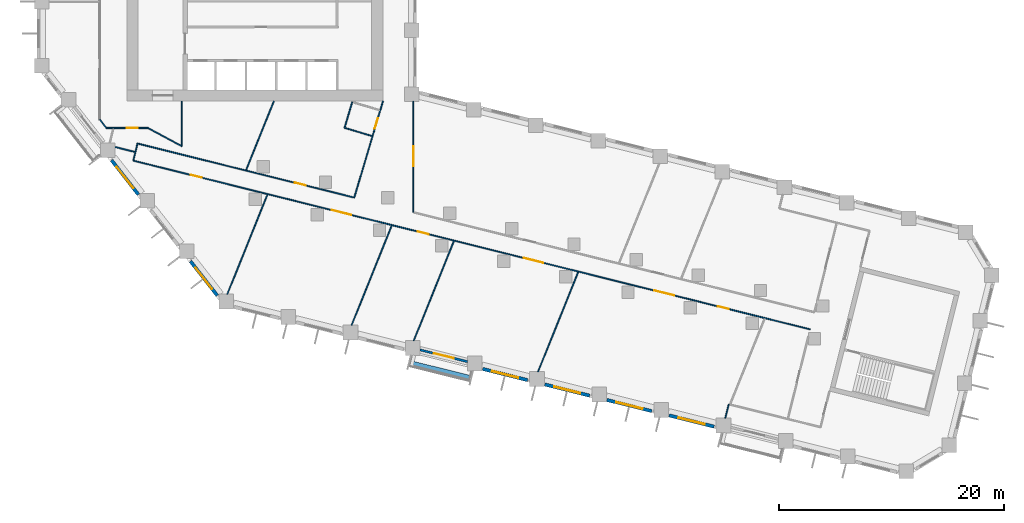
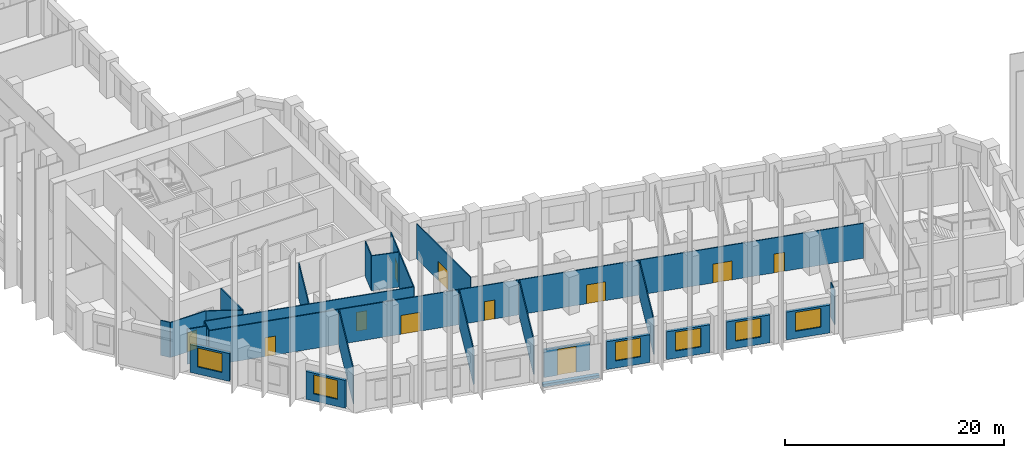
# One storey, part 3 of 10: 26 walls, 11 doors, 6 windows, 17 openings.
"""IFC4 building model written with IfcOpenShell, lengths in metres."""

from ifc_helpers import new_model, si_unit, direction, frame, frame_2d, origin, place, context, subcontext, project, spatial, rectangle, extrude, material, layer, layer_set, type_object, element, fill, save


model = new_model("IFC4")

# Units and contexts
model_context = context("Model", 3, precision=1e-05, world=origin(), true_north=direction((0.0, 1.0)))
body_context = subcontext(model_context, "Body", "Model", "MODEL_VIEW")
ifc_project = project(units=[si_unit("LENGTHUNIT", "METRE"), si_unit("AREAUNIT", "SQUARE_METRE"), si_unit("VOLUMEUNIT", "CUBIC_METRE"), si_unit("PLANEANGLEUNIT", "RADIAN"), si_unit("MASSUNIT", "GRAM", prefix="KILO")], contexts=[model_context])

# Site, building, storey
site_placement = place(None, origin())
site = spatial("IfcSite", under=ifc_project, at=site_placement, CompositionType="ELEMENT")
building_placement = place(site_placement, origin())
building = spatial("IfcBuilding", under=site, at=building_placement, Name="Meshkara Civic Tower", CompositionType="ELEMENT")
storey_placement = place(building_placement, frame((0.0, 0.0, 130.800048828125)))
storey = spatial("IfcBuildingStorey", under=building, at=storey_placement, Name="L29", CompositionType="ELEMENT", Elevation=130.800048828125)

# Wall
ifc_material_1 = material(Name="Corridor wall 100")
ifc_layer_1 = layer(ifc_material_1, 0.10009765625)
ifc_layer_set_1 = layer_set([ifc_layer_1], Name="Corridor wall 100")
wall_type_1 = type_object("IfcWallType", Name="Corridor wall 100", PredefinedType="PARTITIONING", material=ifc_layer_set_1)
wall_1_placement = place(storey_placement, frame((5.60009765625, 12.449951171875, 0.0), z_axis=(0.0, 0.0, 1.0), x_axis=(0.615644041972, -0.788024373725, 0.0)))
element("IfcWall", 1, at=wall_1_placement, inside=storey, type_object=wall_type_1, Name="L29-W004", PredefinedType="PARTITIONING", context=body_context, shape_type="SweptSolid", body=[
    extrude(rectangle(XDim=0.95166015625, YDim=0.10009765625, at=frame_2d((0.475830078125, 0.0))), origin(), (0.0, 0.0, 1.0), 3.89990234375),
])

# Wall, opening, door
wall_2_placement = place(storey_placement, frame((6.18603515625, 11.699951171875, 0.0), z_axis=(0.0, 0.0, 1.0), x_axis=(1.0, 0.0, 0.0)))
wall_2 = element("IfcWall", 2, at=wall_2_placement, inside=storey, type_object=wall_type_1, Name="L29-W006", PredefinedType="PARTITIONING", context=body_context, shape_type="SweptSolid", body=[
    extrude(rectangle(XDim=3.7138671875, YDim=0.10009765625, at=frame_2d((1.85693359375, 0.0))), origin(), (0.0, 0.0, 1.0), 3.89990234375),
])
opening_1_placement = place(wall_2_placement, frame((1.791015625, 0.0, 0.0)))
opening_1 = element("IfcOpeningElement", 3, at=opening_1_placement, cuts=wall_2, Name="Opening L29-D012", PredefinedType="OPENING", context=body_context, shape_type="SweptSolid", body=[
    extrude(rectangle(XDim=1.0, YDim=2.10009765625, at=frame_2d((0.5, 1.050048828125))), frame((0.0, 0.06005859375, 0.0), z_axis=(0.0, -1.0, 0.0), x_axis=(1.0, 0.0, 0.0)), (0.0, 0.0, 1.0), 0.1201171875),
])
ifc_material_2 = material(Name="Door 1000 x 2100")
door_type_1 = type_object("IfcDoorType", Name="Door 1000 x 2100", OperationType="SINGLE_SWING_LEFT", PredefinedType="DOOR", material=ifc_material_2)
door_1_placement = place(opening_1_placement, origin())
door_1 = element("IfcDoor", 4, at=door_1_placement, inside=storey, type_object=door_type_1, Name="L29-D012", OperationType="SINGLE_SWING_LEFT", OverallHeight=2.10009765625, OverallWidth=1.0, PredefinedType="DOOR", context=body_context, shape_type="SweptSolid", body=[
    extrude(rectangle(XDim=1.0, YDim=2.10009765625, at=frame_2d((0.5, 1.050048828125))), frame((0.0, 0.02490234375, 0.0), z_axis=(0.0, -1.0, 0.0), x_axis=(1.0, 0.0, 0.0)), (0.0, 0.0, 1.0), 0.050048828125),
])
fill(opening_1, door_1)

# Wall, openings, doors
wall_3_placement = place(storey_placement, frame((8.5791015625, 8.802978515625, 0.0), z_axis=(0.0, 0.0, 1.0), x_axis=(0.970297306393, -0.241915558008, 0.0)))
wall_3 = element("IfcWall", 5, at=wall_3_placement, inside=storey, type_object=wall_type_1, Name="L29-W008", PredefinedType="PARTITIONING", context=body_context, shape_type="SweptSolid", body=[
    extrude(rectangle(XDim=62.07568359375, YDim=0.10009765625, at=frame_2d((31.037841796875, 0.0))), origin(), (0.0, 0.0, 1.0), 3.89990234375),
])
opening_2_placement = place(wall_3_placement, frame((35.799072265625, 0.0, 0.0)))
opening_2 = element("IfcOpeningElement", 6, at=opening_2_placement, cuts=wall_3, Name="Opening L29-D003", PredefinedType="OPENING", context=body_context, shape_type="SweptSolid", body=[
    extrude(rectangle(XDim=1.800048828125, YDim=2.10009765625, at=frame_2d((0.89990234375, 1.050048828125))), frame((0.0, 0.06005859375, 0.0), z_axis=(0.0, -1.0, 0.0), x_axis=(1.0, 0.0, 0.0)), (0.0, 0.0, 1.0), 0.1201171875),
])
opening_3_placement = place(wall_3_placement, frame((47.799072265625, 0.0, 0.0)))
opening_3 = element("IfcOpeningElement", 7, at=opening_3_placement, cuts=wall_3, Name="Opening L29-D005", PredefinedType="OPENING", context=body_context, shape_type="SweptSolid", body=[
    extrude(rectangle(XDim=1.800048828125, YDim=2.10009765625, at=frame_2d((0.89990234375, 1.050048828125))), frame((0.0, 0.06005859375, 0.0), z_axis=(0.0, -1.0, 0.0), x_axis=(1.0, 0.0, 0.0)), (0.0, 0.0, 1.0), 0.1201171875),
])
opening_4_placement = place(wall_3_placement, frame((53.59912109375, 0.0, 0.0)))
opening_4 = element("IfcOpeningElement", 8, at=opening_4_placement, cuts=wall_3, Name="Opening L29-D006", PredefinedType="OPENING", context=body_context, shape_type="SweptSolid", body=[
    extrude(rectangle(XDim=1.0, YDim=2.10009765625, at=frame_2d((0.5, 1.050048828125))), frame((0.0, 0.06005859375, 0.0), z_axis=(0.0, -1.0, 0.0), x_axis=(1.0, 0.0, 0.0)), (0.0, 0.0, 1.0), 0.1201171875),
])
opening_5_placement = place(wall_3_placement, frame((18.199951171875, 0.0, 0.0)))
opening_5 = element("IfcOpeningElement", 9, at=opening_5_placement, cuts=wall_3, Name="Opening L29-D007", PredefinedType="OPENING", context=body_context, shape_type="SweptSolid", body=[
    extrude(rectangle(XDim=1.800048828125, YDim=2.10009765625, at=frame_2d((0.89990234375, 1.050048828125))), frame((0.0, 0.06005859375, 0.0), z_axis=(0.0, -1.0, 0.0), x_axis=(1.0, 0.0, 0.0)), (0.0, 0.0, 1.0), 0.1201171875),
])
opening_6_placement = place(wall_3_placement, frame((26.09912109375, 0.0, 0.0)))
opening_6 = element("IfcOpeningElement", 10, at=opening_6_placement, cuts=wall_3, Name="Opening L29-D008", PredefinedType="OPENING", context=body_context, shape_type="SweptSolid", body=[
    extrude(rectangle(XDim=1.0, YDim=2.10009765625, at=frame_2d((0.5, 1.050048828125))), frame((0.0, 0.06005859375, 0.0), z_axis=(0.0, -1.0, 0.0), x_axis=(1.0, 0.0, 0.0)), (0.0, 0.0, 1.0), 0.1201171875),
])
opening_7_placement = place(wall_3_placement, frame((5.280029296875, 0.0, 0.0)))
opening_7 = element("IfcOpeningElement", 11, at=opening_7_placement, cuts=wall_3, Name="Opening L29-D013", PredefinedType="OPENING", context=body_context, shape_type="SweptSolid", body=[
    extrude(rectangle(XDim=1.0, YDim=2.10009765625, at=frame_2d((0.5, 1.050048828125))), frame((0.0, 0.06005859375, 0.0), z_axis=(0.0, -1.0, 0.0), x_axis=(1.0, 0.0, 0.0)), (0.0, 0.0, 1.0), 0.1201171875),
])
door_2_placement = place(opening_4_placement, origin())
door_2 = element("IfcDoor", 12, at=door_2_placement, inside=storey, type_object=door_type_1, Name="L29-D006", OperationType="SINGLE_SWING_LEFT", OverallHeight=2.10009765625, OverallWidth=1.0, PredefinedType="DOOR", context=body_context, shape_type="SweptSolid", body=[
    extrude(rectangle(XDim=1.0, YDim=2.10009765625, at=frame_2d((0.5, 1.050048828125))), frame((0.0, 0.02490234375, 0.0), z_axis=(0.0, -1.0, 0.0), x_axis=(1.0, 0.0, 0.0)), (0.0, 0.0, 1.0), 0.050048828125),
])
fill(opening_4, door_2)
door_3_placement = place(opening_6_placement, origin())
door_3 = element("IfcDoor", 13, at=door_3_placement, inside=storey, type_object=door_type_1, Name="L29-D008", OperationType="SINGLE_SWING_LEFT", OverallHeight=2.10009765625, OverallWidth=1.0, PredefinedType="DOOR", context=body_context, shape_type="SweptSolid", body=[
    extrude(rectangle(XDim=1.0, YDim=2.10009765625, at=frame_2d((0.5, 1.050048828125))), frame((0.0, 0.02490234375, 0.0), z_axis=(0.0, -1.0, 0.0), x_axis=(1.0, 0.0, 0.0)), (0.0, 0.0, 1.0), 0.050048828125),
])
fill(opening_6, door_3)
door_4_placement = place(opening_7_placement, origin())
door_4 = element("IfcDoor", 14, at=door_4_placement, inside=storey, type_object=door_type_1, Name="L29-D013", OperationType="SINGLE_SWING_RIGHT", OverallHeight=2.10009765625, OverallWidth=1.0, PredefinedType="DOOR", context=body_context, shape_type="SweptSolid", body=[
    extrude(rectangle(XDim=1.0, YDim=2.10009765625, at=frame_2d((0.5, 1.050048828125))), frame((0.0, 0.02490234375, 0.0), z_axis=(0.0, -1.0, 0.0), x_axis=(1.0, 0.0, 0.0)), (0.0, 0.0, 1.0), 0.050048828125),
])
fill(opening_7, door_4)
ifc_material_3 = material(Name="Door pair 1800 x 2100")
door_type_2 = type_object("IfcDoorType", Name="Door pair 1800 x 2100", OperationType="SINGLE_SWING_LEFT", PredefinedType="DOOR", material=ifc_material_3)
door_5_placement = place(opening_2_placement, origin())
door_5 = element("IfcDoor", 15, at=door_5_placement, inside=storey, type_object=door_type_2, Name="L29-D003", OperationType="DOUBLE_DOOR_SINGLE_SWING", OverallHeight=2.10009765625, OverallWidth=1.800048828125, PredefinedType="DOOR", context=body_context, shape_type="SweptSolid", body=[
    extrude(rectangle(XDim=1.800048828125, YDim=2.10009765625, at=frame_2d((0.89990234375, 1.050048828125))), frame((0.0, 0.02490234375, 0.0), z_axis=(0.0, -1.0, 0.0), x_axis=(1.0, 0.0, 0.0)), (0.0, 0.0, 1.0), 0.050048828125),
])
fill(opening_2, door_5)
door_6_placement = place(opening_3_placement, origin())
door_6 = element("IfcDoor", 16, at=door_6_placement, inside=storey, type_object=door_type_2, Name="L29-D005", OperationType="DOUBLE_DOOR_SINGLE_SWING", OverallHeight=2.10009765625, OverallWidth=1.800048828125, PredefinedType="DOOR", context=body_context, shape_type="SweptSolid", body=[
    extrude(rectangle(XDim=1.800048828125, YDim=2.10009765625, at=frame_2d((0.89990234375, 1.050048828125))), frame((0.0, 0.02490234375, 0.0), z_axis=(0.0, -1.0, 0.0), x_axis=(1.0, 0.0, 0.0)), (0.0, 0.0, 1.0), 0.050048828125),
])
fill(opening_3, door_6)
door_7_placement = place(opening_5_placement, origin())
door_7 = element("IfcDoor", 17, at=door_7_placement, inside=storey, type_object=door_type_2, Name="L29-D007", OperationType="DOUBLE_DOOR_SINGLE_SWING", OverallHeight=2.10009765625, OverallWidth=1.800048828125, PredefinedType="DOOR", context=body_context, shape_type="SweptSolid", body=[
    extrude(rectangle(XDim=1.800048828125, YDim=2.10009765625, at=frame_2d((0.89990234375, 1.050048828125))), frame((0.0, 0.02490234375, 0.0), z_axis=(0.0, -1.0, 0.0), x_axis=(1.0, 0.0, 0.0)), (0.0, 0.0, 1.0), 0.050048828125),
])
fill(opening_5, door_7)

# Wall, opening, door
wall_4_placement = place(storey_placement, frame((8.9580078125, 10.322998046875, 0.0), z_axis=(0.0, 0.0, 1.0), x_axis=(0.970298340477, -0.241911410372, 0.0)))
wall_4 = element("IfcWall", 18, at=wall_4_placement, inside=storey, type_object=wall_type_1, Name="L29-W009", PredefinedType="PARTITIONING", context=body_context, shape_type="SweptSolid", body=[
    extrude(rectangle(XDim=19.879638671875, YDim=0.10009765625, at=frame_2d((9.93994140625, 0.0))), origin(), (0.0, 0.0, 1.0), 3.89990234375),
])
opening_8_placement = place(wall_4_placement, frame((14.4169921875, 0.0, 0.0)))
opening_8 = element("IfcOpeningElement", 19, at=opening_8_placement, cuts=wall_4, Name="Opening L29-D014", PredefinedType="OPENING", context=body_context, shape_type="SweptSolid", body=[
    extrude(rectangle(XDim=1.0, YDim=2.10009765625, at=frame_2d((0.5, 1.050048828125))), frame((0.0, 0.06005859375, 0.0), z_axis=(0.0, -1.0, 0.0), x_axis=(1.0, 0.0, 0.0)), (0.0, 0.0, 1.0), 0.1201171875),
])
door_8_placement = place(opening_8_placement, origin())
door_8 = element("IfcDoor", 20, at=door_8_placement, inside=storey, type_object=door_type_1, Name="L29-D014", OperationType="SINGLE_SWING_RIGHT", OverallHeight=2.10009765625, OverallWidth=1.0, PredefinedType="DOOR", context=body_context, shape_type="SweptSolid", body=[
    extrude(rectangle(XDim=1.0, YDim=2.10009765625, at=frame_2d((0.5, 1.050048828125))), frame((0.0, 0.02490234375, 0.0), z_axis=(0.0, -1.0, 0.0), x_axis=(1.0, 0.0, 0.0)), (0.0, 0.0, 1.0), 0.050048828125),
])
fill(opening_8, door_8)

# Walls
wall_5_placement = place(storey_placement, frame((8.9580078125, 10.322998046875, 0.0), z_axis=(0.0, 0.0, 1.0), x_axis=(-0.241875508386, -0.97030729073, 0.0)))
element("IfcWall", 21, at=wall_5_placement, inside=storey, type_object=wall_type_1, Name="L29-W010", PredefinedType="PARTITIONING", context=body_context, shape_type="SweptSolid", body=[
    extrude(rectangle(XDim=1.566650390625, YDim=0.10009765625, at=frame_2d((0.783203125, 0.0))), origin(), (0.0, 0.0, 1.0), 3.89990234375),
])
wall_6_placement = place(storey_placement, frame((9.89990234375, 11.699951171875, 0.0), z_axis=(0.0, 0.0, 1.0), x_axis=(0.87965147249, -0.475618846291, 0.0)))
element("IfcWall", 22, at=wall_6_placement, inside=storey, type_object=wall_type_1, Name="L29-W011", PredefinedType="PARTITIONING", context=body_context, shape_type="SweptSolid", body=[
    extrude(rectangle(XDim=3.410400390625, YDim=0.10009765625, at=frame_2d((1.705078125, 0.0))), origin(), (0.0, 0.0, 1.0), 3.89990234375),
])
wall_7_placement = place(storey_placement, frame((12.89990234375, 10.077880859375, 0.0), z_axis=(0.0, 0.0, 1.0), x_axis=(0.0, 1.0, 0.0)))
element("IfcWall", 23, at=wall_7_placement, inside=storey, type_object=wall_type_1, Name="L29-W016", PredefinedType="PARTITIONING", context=body_context, shape_type="SweptSolid", body=[
    extrude(rectangle(XDim=4.022216796875, YDim=0.10009765625, at=frame_2d((2.01123046875, 0.0))), origin(), (0.0, 0.0, 1.0), 3.89990234375),
])

# Wall, opening, door
wall_8_placement = place(storey_placement, frame((28.2470703125, 5.513916015625, 0.0), z_axis=(0.0, 0.0, 1.0), x_axis=(0.285004107837, 0.958526295162, 0.0)))
wall_8 = element("IfcWall", 24, at=wall_8_placement, inside=storey, type_object=wall_type_1, Name="L29-W020", PredefinedType="PARTITIONING", context=body_context, shape_type="SweptSolid", body=[
    extrude(rectangle(XDim=8.957763671875, YDim=0.10009765625, at=frame_2d((4.47900390625, 0.0))), origin(), (0.0, 0.0, 1.0), 3.89990234375),
])
opening_9_placement = place(wall_8_placement, frame((6.3798828125, 0.0, 0.0)))
opening_9 = element("IfcOpeningElement", 25, at=opening_9_placement, cuts=wall_8, Name="Opening L29-D017", PredefinedType="OPENING", context=body_context, shape_type="SweptSolid", body=[
    extrude(rectangle(XDim=1.0, YDim=2.10009765625, at=frame_2d((0.5, 1.050048828125))), frame((0.0, 0.06005859375, 0.0), z_axis=(0.0, -1.0, 0.0), x_axis=(1.0, 0.0, 0.0)), (0.0, 0.0, 1.0), 0.1201171875),
])
door_9_placement = place(opening_9_placement, origin())
door_9 = element("IfcDoor", 26, at=door_9_placement, inside=storey, type_object=door_type_1, Name="L29-D017", OperationType="SINGLE_SWING_LEFT", OverallHeight=2.10009765625, OverallWidth=1.0, PredefinedType="DOOR", context=body_context, shape_type="SweptSolid", body=[
    extrude(rectangle(XDim=1.0, YDim=2.10009765625, at=frame_2d((0.5, 1.050048828125))), frame((0.0, 0.02490234375, 0.0), z_axis=(0.0, -1.0, 0.0), x_axis=(1.0, 0.0, 0.0)), (0.0, 0.0, 1.0), 0.050048828125),
])
fill(opening_9, door_9)

wall_9_placement = place(storey_placement, frame((33.5, 4.2041015625, 0.0), z_axis=(0.0, 0.0, 1.0), x_axis=(0.0, 1.0, 0.0)))
wall_9 = element("IfcWall", 27, at=wall_9_placement, inside=storey, type_object=wall_type_1, Name="L29-W023", PredefinedType="PARTITIONING", context=body_context, shape_type="SweptSolid", body=[
    extrude(rectangle(XDim=9.864990234375, YDim=0.10009765625, at=frame_2d((4.9326171875, 0.0))), origin(), (0.0, 0.0, 1.0), 3.89990234375),
])
opening_10_placement = place(wall_9_placement, frame((4.080078125, 0.0, 0.0)))
opening_10 = element("IfcOpeningElement", 28, at=opening_10_placement, cuts=wall_9, Name="Opening L29-D015", PredefinedType="OPENING", context=body_context, shape_type="SweptSolid", body=[
    extrude(rectangle(XDim=1.800048828125, YDim=2.10009765625, at=frame_2d((0.89990234375, 1.050048828125))), frame((0.0, 0.06005859375, 0.0), z_axis=(0.0, -1.0, 0.0), x_axis=(1.0, 0.0, 0.0)), (0.0, 0.0, 1.0), 0.1201171875),
])
door_10_placement = place(opening_10_placement, origin())
door_10 = element("IfcDoor", 29, at=door_10_placement, inside=storey, type_object=door_type_2, Name="L29-D015", OperationType="DOUBLE_DOOR_SINGLE_SWING", OverallHeight=2.10009765625, OverallWidth=1.800048828125, PredefinedType="DOOR", context=body_context, shape_type="SweptSolid", body=[
    extrude(rectangle(XDim=1.800048828125, YDim=2.10009765625, at=frame_2d((0.89990234375, 1.050048828125))), frame((0.0, 0.02490234375, 0.0), z_axis=(0.0, -1.0, 0.0), x_axis=(1.0, 0.0, 0.0)), (0.0, 0.0, 1.0), 0.050048828125),
])
fill(opening_10, door_10)

# Wall, opening, window
ifc_material_4 = material(Name="Insulated infill panel with bronze anodised aluminium cladding", Category="aluminium")
ifc_layer_2 = layer(ifc_material_4, 0.300048828125)
ifc_layer_set_2 = layer_set([ifc_layer_2], Name="EXTERNAL INFILL WALL 300")
wall_type_2 = type_object("IfcWallType", Name="EXTERNAL INFILL WALL 300", PredefinedType="SOLIDWALL", material=ifc_layer_set_2)
wall_10_placement = place(storey_placement, frame((6.64892578125, 8.833984375, 0.0), z_axis=(0.0, 0.0, 1.0), x_axis=(0.615535257281, -0.788109349674, 0.0)))
wall_10 = element("IfcWall", 30, at=wall_10_placement, inside=storey, type_object=wall_type_2, Name="External wall", PredefinedType="SOLIDWALL", context=body_context, shape_type="SweptSolid", body=[
    extrude(rectangle(XDim=3.876220703125, YDim=0.300048828125, at=frame_2d((1.93798828125, 0.0))), origin(), (0.0, 0.0, 1.0), 3.099853515625),
])
opening_11_placement = place(wall_10_placement, frame((0.738037109375, 0.0, 0.800048828125)))
opening_11 = element("IfcOpeningElement", 31, at=opening_11_placement, cuts=wall_10, Name="Opening W7", PredefinedType="OPENING", context=body_context, shape_type="SweptSolid", body=[
    extrude(rectangle(XDim=2.39990234375, YDim=2.10009765625, at=frame_2d((1.199951171875, 1.050048828125))), frame((0.0, 0.159912109375, 0.0), z_axis=(0.0, -1.0, 0.0), x_axis=(1.0, 0.0, 0.0)), (0.0, 0.0, 1.0), 0.320068359375),
])
ifc_material_5 = material(Name="Tinted double glazing", Category="glass")
window_type = type_object("IfcWindowType", Name="WINDOW 2400x2100", PartitioningType="DOUBLE_PANEL_VERTICAL", PredefinedType="WINDOW", material=ifc_material_5)
window_1_placement = place(opening_11_placement, origin())
window_1 = element("IfcWindow", 32, at=window_1_placement, inside=storey, type_object=window_type, Name="Window", OverallHeight=2.10009765625, OverallWidth=2.39990234375, PartitioningType="DOUBLE_PANEL_VERTICAL", PredefinedType="WINDOW", context=body_context, shape_type="SweptSolid", body=[
    extrude(rectangle(XDim=2.39990234375, YDim=2.10009765625, at=frame_2d((1.199951171875, 1.050048828125))), frame((0.0, 0.030029296875, 0.0), z_axis=(0.0, -1.0, 0.0), x_axis=(1.0, 0.0, 0.0)), (0.0, 0.0, 1.0), 0.06005859375),
])
fill(opening_11, window_1)

wall_11_placement = place(storey_placement, frame((13.6669921875, -0.14990234375, 0.0), z_axis=(0.0, 0.0, 1.0), x_axis=(0.615626928003, -0.788037743714, 0.0)))
wall_11 = element("IfcWall", 33, at=wall_11_placement, inside=storey, type_object=wall_type_2, Name="External wall", PredefinedType="SOLIDWALL", context=body_context, shape_type="SweptSolid", body=[
    extrude(rectangle(XDim=3.875732421875, YDim=0.300048828125, at=frame_2d((1.93798828125, 0.0))), origin(), (0.0, 0.0, 1.0), 3.099853515625),
])
opening_12_placement = place(wall_11_placement, frame((0.738037109375, 0.0, 0.800048828125)))
opening_12 = element("IfcOpeningElement", 34, at=opening_12_placement, cuts=wall_11, Name="Opening W7", PredefinedType="OPENING", context=body_context, shape_type="SweptSolid", body=[
    extrude(rectangle(XDim=2.39990234375, YDim=2.10009765625, at=frame_2d((1.199951171875, 1.050048828125))), frame((0.0, 0.159912109375, 0.0), z_axis=(0.0, -1.0, 0.0), x_axis=(1.0, 0.0, 0.0)), (0.0, 0.0, 1.0), 0.320068359375),
])
window_2_placement = place(opening_12_placement, origin())
window_2 = element("IfcWindow", 35, at=window_2_placement, inside=storey, type_object=window_type, Name="Window", OverallHeight=2.10009765625, OverallWidth=2.39990234375, PartitioningType="DOUBLE_PANEL_VERTICAL", PredefinedType="WINDOW", context=body_context, shape_type="SweptSolid", body=[
    extrude(rectangle(XDim=2.39990234375, YDim=2.10009765625, at=frame_2d((1.199951171875, 1.050048828125))), frame((0.0, 0.030029296875, 0.0), z_axis=(0.0, -1.0, 0.0), x_axis=(1.0, 0.0, 0.0)), (0.0, 0.0, 1.0), 0.06005859375),
])
fill(opening_12, window_2)

wall_12_placement = place(storey_placement, frame((39.666015625, -9.735107421875, 0.0), z_axis=(0.0, 0.0, 1.0), x_axis=(0.97029551261, -0.241922752565, 0.0)))
wall_12 = element("IfcWall", 36, at=wall_12_placement, inside=storey, type_object=wall_type_2, Name="External wall", PredefinedType="SOLIDWALL", context=body_context, shape_type="SweptSolid", body=[
    extrude(rectangle(XDim=4.12451171875, YDim=0.300048828125, at=frame_2d((2.062255859375, 0.0))), origin(), (0.0, 0.0, 1.0), 3.099853515625),
])
opening_13_placement = place(wall_12_placement, frame((0.862060546875, 0.0, 0.800048828125)))
opening_13 = element("IfcOpeningElement", 37, at=opening_13_placement, cuts=wall_12, Name="Opening W7", PredefinedType="OPENING", context=body_context, shape_type="SweptSolid", body=[
    extrude(rectangle(XDim=2.39990234375, YDim=2.10009765625, at=frame_2d((1.199951171875, 1.050048828125))), frame((0.0, 0.159912109375, 0.0), z_axis=(0.0, -1.0, 0.0), x_axis=(1.0, 0.0, 0.0)), (0.0, 0.0, 1.0), 0.320068359375),
])
window_3_placement = place(opening_13_placement, origin())
window_3 = element("IfcWindow", 38, at=window_3_placement, inside=storey, type_object=window_type, Name="Window", OverallHeight=2.10009765625, OverallWidth=2.39990234375, PartitioningType="DOUBLE_PANEL_VERTICAL", PredefinedType="WINDOW", context=body_context, shape_type="SweptSolid", body=[
    extrude(rectangle(XDim=2.39990234375, YDim=2.10009765625, at=frame_2d((1.199951171875, 1.050048828125))), frame((0.0, 0.030029296875, 0.0), z_axis=(0.0, -1.0, 0.0), x_axis=(1.0, 0.0, 0.0)), (0.0, 0.0, 1.0), 0.06005859375),
])
fill(opening_13, window_3)

wall_13_placement = place(storey_placement, frame((45.197021484375, -11.114013671875, 0.0), z_axis=(0.0, 0.0, 1.0), x_axis=(0.970267747908, -0.242034083076, 0.0)))
wall_13 = element("IfcWall", 39, at=wall_13_placement, inside=storey, type_object=wall_type_2, Name="External wall", PredefinedType="SOLIDWALL", context=body_context, shape_type="SweptSolid", body=[
    extrude(rectangle(XDim=4.12353515625, YDim=0.300048828125, at=frame_2d((2.061767578125, 0.0))), origin(), (0.0, 0.0, 1.0), 3.099853515625),
])
opening_14_placement = place(wall_13_placement, frame((0.862060546875, 0.0, 0.800048828125)))
opening_14 = element("IfcOpeningElement", 40, at=opening_14_placement, cuts=wall_13, Name="Opening W7", PredefinedType="OPENING", context=body_context, shape_type="SweptSolid", body=[
    extrude(rectangle(XDim=2.39990234375, YDim=2.10009765625, at=frame_2d((1.199951171875, 1.050048828125))), frame((0.0, 0.159912109375, 0.0), z_axis=(0.0, -1.0, 0.0), x_axis=(1.0, 0.0, 0.0)), (0.0, 0.0, 1.0), 0.320068359375),
])
window_4_placement = place(opening_14_placement, origin())
window_4 = element("IfcWindow", 41, at=window_4_placement, inside=storey, type_object=window_type, Name="Window", OverallHeight=2.10009765625, OverallWidth=2.39990234375, PartitioningType="DOUBLE_PANEL_VERTICAL", PredefinedType="WINDOW", context=body_context, shape_type="SweptSolid", body=[
    extrude(rectangle(XDim=2.39990234375, YDim=2.10009765625, at=frame_2d((1.199951171875, 1.050048828125))), frame((0.0, 0.030029296875, 0.0), z_axis=(0.0, -1.0, 0.0), x_axis=(1.0, 0.0, 0.0)), (0.0, 0.0, 1.0), 0.06005859375),
])
fill(opening_14, window_4)

wall_14_placement = place(storey_placement, frame((50.72705078125, -12.492919921875, 0.0), z_axis=(0.0, 0.0, 1.0), x_axis=(0.970281616392, -0.241978480223, 0.0)))
wall_14 = element("IfcWall", 42, at=wall_14_placement, inside=storey, type_object=wall_type_2, Name="External wall", PredefinedType="SOLIDWALL", context=body_context, shape_type="SweptSolid", body=[
    extrude(rectangle(XDim=4.12451171875, YDim=0.300048828125, at=frame_2d((2.062255859375, 0.0))), origin(), (0.0, 0.0, 1.0), 3.099853515625),
])
opening_15_placement = place(wall_14_placement, frame((0.862060546875, 0.0, 0.800048828125)))
opening_15 = element("IfcOpeningElement", 43, at=opening_15_placement, cuts=wall_14, Name="Opening W7", PredefinedType="OPENING", context=body_context, shape_type="SweptSolid", body=[
    extrude(rectangle(XDim=2.39990234375, YDim=2.10009765625, at=frame_2d((1.199951171875, 1.050048828125))), frame((0.0, 0.159912109375, 0.0), z_axis=(0.0, -1.0, 0.0), x_axis=(1.0, 0.0, 0.0)), (0.0, 0.0, 1.0), 0.320068359375),
])
window_5_placement = place(opening_15_placement, origin())
window_5 = element("IfcWindow", 44, at=window_5_placement, inside=storey, type_object=window_type, Name="Window", OverallHeight=2.10009765625, OverallWidth=2.39990234375, PartitioningType="DOUBLE_PANEL_VERTICAL", PredefinedType="WINDOW", context=body_context, shape_type="SweptSolid", body=[
    extrude(rectangle(XDim=2.39990234375, YDim=2.10009765625, at=frame_2d((1.199951171875, 1.050048828125))), frame((0.0, 0.030029296875, 0.0), z_axis=(0.0, -1.0, 0.0), x_axis=(1.0, 0.0, 0.0)), (0.0, 0.0, 1.0), 0.06005859375),
])
fill(opening_15, window_5)

wall_15_placement = place(storey_placement, frame((56.258056640625, -13.8720703125, 0.0), z_axis=(0.0, 0.0, 1.0), x_axis=(0.970281616392, -0.241978480223, 0.0)))
wall_15 = element("IfcWall", 45, at=wall_15_placement, inside=storey, type_object=wall_type_2, Name="External wall", PredefinedType="SOLIDWALL", context=body_context, shape_type="SweptSolid", body=[
    extrude(rectangle(XDim=4.12451171875, YDim=0.300048828125, at=frame_2d((2.062255859375, 0.0))), origin(), (0.0, 0.0, 1.0), 3.099853515625),
])
opening_16_placement = place(wall_15_placement, frame((0.862060546875, 0.0, 0.800048828125)))
opening_16 = element("IfcOpeningElement", 46, at=opening_16_placement, cuts=wall_15, Name="Opening W7", PredefinedType="OPENING", context=body_context, shape_type="SweptSolid", body=[
    extrude(rectangle(XDim=2.39990234375, YDim=2.10009765625, at=frame_2d((1.199951171875, 1.050048828125))), frame((0.0, 0.159912109375, 0.0), z_axis=(0.0, -1.0, 0.0), x_axis=(1.0, 0.0, 0.0)), (0.0, 0.0, 1.0), 0.320068359375),
])
window_6_placement = place(opening_16_placement, origin())
window_6 = element("IfcWindow", 47, at=window_6_placement, inside=storey, type_object=window_type, Name="Window", OverallHeight=2.10009765625, OverallWidth=2.39990234375, PartitioningType="DOUBLE_PANEL_VERTICAL", PredefinedType="WINDOW", context=body_context, shape_type="SweptSolid", body=[
    extrude(rectangle(XDim=2.39990234375, YDim=2.10009765625, at=frame_2d((1.199951171875, 1.050048828125))), frame((0.0, 0.030029296875, 0.0), z_axis=(0.0, -1.0, 0.0), x_axis=(1.0, 0.0, 0.0)), (0.0, 0.0, 1.0), 0.06005859375),
])
fill(opening_16, window_6)

# Wall, opening, door
ifc_material_6 = material(Name="Insulated infill panel with bronze anodised aluminium cladding", Category="aluminium")
ifc_layer_3 = layer(ifc_material_6, 0.199951171875)
ifc_layer_set_3 = layer_set([ifc_layer_3], Name="LOGGIA BACK WALL 200")
wall_type_3 = type_object("IfcWallType", Name="LOGGIA BACK WALL 200", PredefinedType="SOLIDWALL", material=ifc_layer_set_3)
wall_16_placement = place(storey_placement, frame((34.093017578125, -8.037109375, 0.0), z_axis=(0.0, 0.0, 1.0), x_axis=(0.970346363444, -0.241718710386, 0.0)))
wall_16 = element("IfcWall", 48, at=wall_16_placement, inside=storey, type_object=wall_type_3, Name="Loggia wall", PredefinedType="SOLIDWALL", context=body_context, shape_type="SweptSolid", body=[
    extrude(rectangle(XDim=4.3603515625, YDim=0.199951171875, at=frame_2d((2.18017578125, 0.0))), origin(), (0.0, 0.0, 1.0), 3.099853515625),
])
opening_17_placement = place(wall_16_placement, frame((1.280029296875, 0.0, 0.0)))
opening_17 = element("IfcOpeningElement", 49, at=opening_17_placement, cuts=wall_16, Name="Opening L29-L004", PredefinedType="OPENING", context=body_context, shape_type="SweptSolid", body=[
    extrude(rectangle(XDim=1.800048828125, YDim=2.89990234375, at=frame_2d((0.89990234375, 1.449951171875))), frame((0.0, 0.10986328125, 0.0), z_axis=(0.0, -1.0, 0.0), x_axis=(1.0, 0.0, 0.0)), (0.0, 0.0, 1.0), 0.219970703125),
])
ifc_material_7 = material(Name="Tinted double glazing", Category="glass")
door_type_3 = type_object("IfcDoorType", Name="LOGGIA DOOR 1800x2900", OperationType="DOUBLE_DOOR_SINGLE_SWING", PredefinedType="DOOR", material=ifc_material_7)
door_11_placement = place(opening_17_placement, origin())
door_11 = element("IfcDoor", 50, at=door_11_placement, inside=storey, type_object=door_type_3, Name="L29-L004", OperationType="DOUBLE_DOOR_SINGLE_SWING", OverallHeight=2.89990234375, OverallWidth=1.800048828125, PredefinedType="DOOR", context=body_context, shape_type="SweptSolid", body=[
    extrude(rectangle(XDim=1.800048828125, YDim=2.89990234375, at=frame_2d((0.89990234375, 1.449951171875))), frame((0.0, 0.02490234375, 0.0), z_axis=(0.0, -1.0, 0.0), x_axis=(1.0, 0.0, 0.0)), (0.0, 0.0, 1.0), 0.050048828125),
])
fill(opening_17, door_11)

# Walls
ifc_material_8 = material(Name="Concrete C40", Category="concrete")
ifc_layer_4 = layer(ifc_material_8, 0.39990234375)
ifc_layer_set_4 = layer_set([ifc_layer_4], Name="PLANTER TRAY")
wall_type_4 = type_object("IfcWallType", Name="PLANTER TRAY", PredefinedType="SOLIDWALL", material=ifc_layer_set_4)
wall_17_placement = place(storey_placement, frame((33.285888671875, -9.2060546875, 0.0), z_axis=(0.0, 0.0, 1.0), x_axis=(0.970292345375, -0.241935455249, 0.0)))
element("IfcWall", 51, at=wall_17_placement, inside=storey, type_object=wall_type_4, Name="Planter", PredefinedType="SOLIDWALL", context=body_context, shape_type="SweptSolid", body=[
    extrude(rectangle(XDim=5.3603515625, YDim=0.39990234375, at=frame_2d((2.68017578125, 0.0))), origin(), (0.0, 0.0, 1.0), 0.300048828125),
])
ifc_material_9 = material(Name="Partition 100")
ifc_layer_5 = layer(ifc_material_9, 0.10009765625)
ifc_layer_set_5 = layer_set([ifc_layer_5], Name="Partition 100")
wall_type_5 = type_object("IfcWallType", Name="Partition 100", PredefinedType="PARTITIONING", material=ifc_layer_set_5)
wall_18_placement = place(storey_placement, frame((8.718994140625, 9.574951171875, 0.0), z_axis=(0.0, 0.0, 1.0), x_axis=(-0.970333736057, 0.241769395645, 0.0)))
element("IfcWall", 52, at=wall_18_placement, inside=storey, type_object=wall_type_5, Name="L29-W036", PredefinedType="PARTITIONING", context=body_context, shape_type="SweptSolid", body=[
    extrude(rectangle(XDim=1.799560546875, YDim=0.10009765625, at=frame_2d((0.89990234375, 0.0))), origin(), (0.0, 0.0, 1.0), 3.89990234375),
])
wall_19_placement = place(storey_placement, frame((16.94189453125, -3.087890625, 0.0), z_axis=(0.0, 0.0, 1.0), x_axis=(0.374526444387, 0.927216232847, 0.0)))
element("IfcWall", 53, at=wall_19_placement, inside=storey, type_object=wall_type_5, Name="L29-W038", PredefinedType="PARTITIONING", context=body_context, shape_type="SweptSolid", body=[
    extrude(rectangle(XDim=9.551025390625, YDim=0.10009765625, at=frame_2d((4.775390625, 0.0))), origin(), (0.0, 0.0, 1.0), 3.89990234375),
])
wall_20_placement = place(storey_placement, frame((18.6220703125, 7.971923828125, 0.0), z_axis=(0.0, 0.0, 1.0), x_axis=(0.374464881939, 0.927241097123, 0.0)))
element("IfcWall", 54, at=wall_20_placement, inside=storey, type_object=wall_type_5, Name="L29-W039", PredefinedType="PARTITIONING", context=body_context, shape_type="SweptSolid", body=[
    extrude(rectangle(XDim=6.609130859375, YDim=0.10009765625, at=frame_2d((3.3046875, 0.0))), origin(), (0.0, 0.0, 1.0), 3.89990234375),
])
wall_21_placement = place(storey_placement, frame((27.37890625, 11.718017578125, 0.0), z_axis=(0.0, 0.0, 1.0), x_axis=(0.284967742607, 0.958537107093, 0.0)))
element("IfcWall", 55, at=wall_21_placement, inside=storey, type_object=wall_type_5, Name="L29-W043", PredefinedType="PARTITIONING", context=body_context, shape_type="SweptSolid", body=[
    extrude(rectangle(XDim=2.400634765625, YDim=0.10009765625, at=frame_2d((1.2001953125, 0.0))), origin(), (0.0, 0.0, 1.0), 3.89990234375),
])
wall_22_placement = place(storey_placement, frame((28.001953125, -5.845947265625, 0.0), z_axis=(0.0, 0.0, 1.0), x_axis=(0.374614343131, 0.927180723441, 0.0)))
element("IfcWall", 56, at=wall_22_placement, inside=storey, type_object=wall_type_5, Name="L29-W044", PredefinedType="PARTITIONING", context=body_context, shape_type="SweptSolid", body=[
    extrude(rectangle(XDim=9.551513671875, YDim=0.10009765625, at=frame_2d((4.77587890625, 0.0))), origin(), (0.0, 0.0, 1.0), 3.89990234375),
])
wall_23_placement = place(storey_placement, frame((29.823974609375, 10.990966796875, 0.0), z_axis=(0.0, 0.0, 1.0), x_axis=(-0.958521516937, 0.285020177478, 0.0)))
element("IfcWall", 57, at=wall_23_placement, inside=storey, type_object=wall_type_5, Name="L29-W046", PredefinedType="PARTITIONING", context=body_context, shape_type="SweptSolid", body=[
    extrude(rectangle(XDim=2.55078125, YDim=0.10009765625, at=frame_2d((1.275390625, 0.0))), origin(), (0.0, 0.0, 1.0), 3.89990234375),
])
wall_24_placement = place(storey_placement, frame((33.532958984375, -7.22509765625, 0.0), z_axis=(0.0, 0.0, 1.0), x_axis=(0.374605465271, 0.927184310366, 0.0)))
element("IfcWall", 58, at=wall_24_placement, inside=storey, type_object=wall_type_5, Name="L29-W047", PredefinedType="PARTITIONING", context=body_context, shape_type="SweptSolid", body=[
    extrude(rectangle(XDim=9.5517578125, YDim=0.10009765625, at=frame_2d((4.77587890625, 0.0))), origin(), (0.0, 0.0, 1.0), 3.89990234375),
])
wall_25_placement = place(storey_placement, frame((44.594970703125, -9.98193359375, 0.0), z_axis=(0.0, 0.0, 1.0), x_axis=(0.374561954078, 0.92720188878, 0.0)))
element("IfcWall", 59, at=wall_25_placement, inside=storey, type_object=wall_type_5, Name="L29-W048", PredefinedType="PARTITIONING", context=body_context, shape_type="SweptSolid", body=[
    extrude(rectangle(XDim=9.55029296875, YDim=0.10009765625, at=frame_2d((4.775146484375, 0.0))), origin(), (0.0, 0.0, 1.0), 3.89990234375),
])
wall_26_placement = place(storey_placement, frame((61.259033203125, -14.118896484375, 0.0), z_axis=(0.0, 0.0, 1.0), x_axis=(0.242221476086, 0.970220983345, 0.0)))
element("IfcWall", 60, at=wall_26_placement, inside=storey, type_object=wall_type_5, Name="L29-W051", PredefinedType="PARTITIONING", context=body_context, shape_type="SweptSolid", body=[
    extrude(rectangle(XDim=1.280029296875, YDim=0.10009765625, at=frame_2d((0.64013671875, 0.0))), origin(), (0.0, 0.0, 1.0), 3.89990234375),
])

save(model, "model.ifc")
